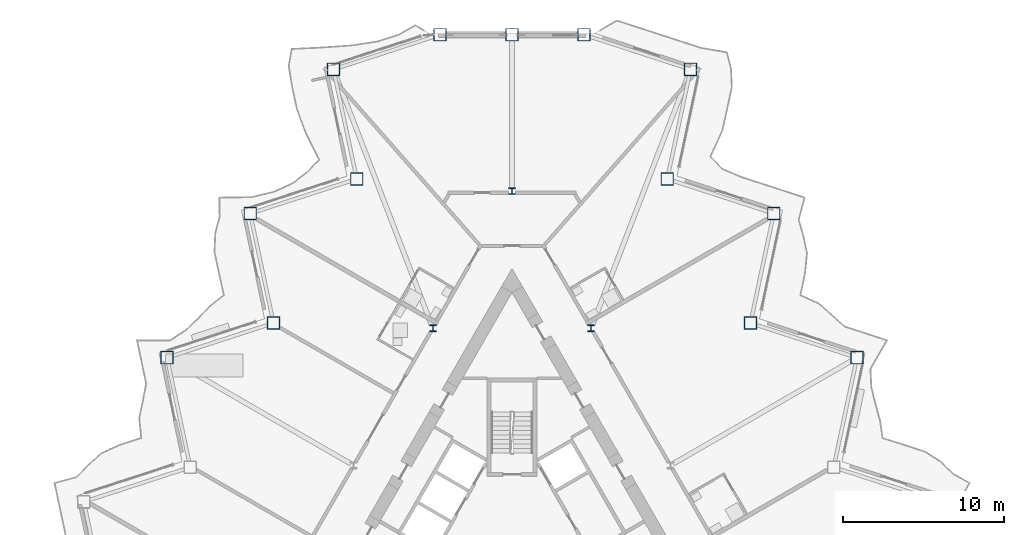
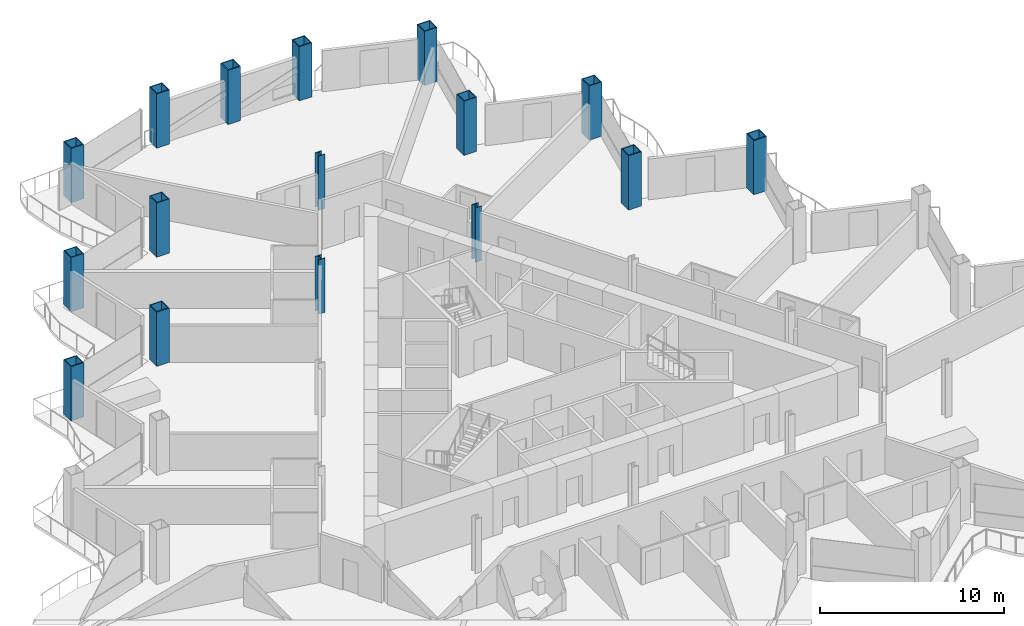
# One storey, part 2 of 23: 16 columns.
"""IFC4 building model written with IfcOpenShell, lengths in metres."""

from ifc_helpers import new_model, si_unit, direction, frame, origin, origin_2d, place, context, subcontext, project, spatial, hollow_rectangle, i_section, extrude, material, material_profile, profile_set, type_object, element, save


model = new_model("IFC4")

# Units and contexts
model_context = context("Model", 3, precision=1e-05, world=origin(), true_north=direction((0.0, 1.0)))
body_context = subcontext(model_context, "Body", "Model", "MODEL_VIEW")
ifc_project = project(units=[si_unit("LENGTHUNIT", "METRE"), si_unit("AREAUNIT", "SQUARE_METRE"), si_unit("VOLUMEUNIT", "CUBIC_METRE"), si_unit("PLANEANGLEUNIT", "RADIAN"), si_unit("MASSUNIT", "GRAM", prefix="KILO")], contexts=[model_context])

# Site, building, storey
site_placement = place(None, origin())
site = spatial("IfcSite", under=ifc_project, at=site_placement, CompositionType="ELEMENT")
building_placement = place(site_placement, origin())
building = spatial("IfcBuilding", under=site, at=building_placement, Name="Cormorant Prow Tower", CompositionType="ELEMENT")
storey_placement = place(building_placement, frame((0.0, 0.0, 172.800048828125)))
storey = spatial("IfcBuildingStorey", under=building, at=storey_placement, Name="L36", CompositionType="ELEMENT", Elevation=172.800048828125)

# Columns
ifc_material_1 = material(Name="Structural steel ASTM A572 Gr 50", Category="steel")
ifc_material_profile_1 = material_profile(ifc_material_1, hollow_rectangle(XDim=0.800048828125, YDim=0.800048828125, WallThickness=0.050048828125, at=origin_2d()), Name="Box 800x800x50")
ifc_profile_set_1 = profile_set([ifc_material_profile_1], Name="Structural steel ASTM A572 Gr 50")
column_type_1 = type_object("IfcColumnType", Name="Perimeter box column 800x800x50", PredefinedType="COLUMN", material=ifc_profile_set_1)
for number, where, z_axis, x_axis, name in (
    (1, (21.409423828125, 12.36083984375, 0.0), (0.0, 0.0, 1.0), (1.0, 0.0, 0.0), "Perimeter column C4 at ENE05 L36"),
    (2, (14.7998046875, 14.50830078125, 0.0), (0.0, 0.0, 1.0), (1.0, 0.0, 0.0), "Perimeter column C4 at ENE06 L36"),
    (3, (16.244873046875, 21.306396484375, 0.0), (0.0, 0.0, 1.0), (1.0, 0.0, 0.0), "Perimeter column C4 at ENE07 L36"),
    (4, (9.63525390625, 23.453857421875, 0.0), (0.0, 0.0, 1.0), (1.0, 0.0, 0.0), "Perimeter column C4 at ENE08 L36"),
    (5, (11.080078125, 30.251953125, 0.0), (0.0, 0.0, 1.0), (1.0, 0.0, 0.0), "Perimeter column C4 at ENE09 L36"),
    (6, (4.470458984375, 32.3994140625, 0.0), (0.0, 0.0, 1.0), (1.0, 0.0, 0.0), "Perimeter column C4 at N00 L36"),
    (7, (0.0, 32.3994140625, 0.0), (0.0, 0.0, 1.0), (1.0, 0.0, 0.0), "Perimeter column C4 at N01 L36"),
    (8, (-4.470458984375, 32.3994140625, 0.0), (0.0, 0.0, 1.0), (1.0, 0.0, 0.0), "Perimeter column C4 at WNW00 L36"),
    (9, (-11.080078125, 30.251953125, 0.0), (0.0, 0.0, 1.0), (1.0, 0.0, 0.0), "Perimeter column C4 at WNW01 L36"),
    (10, (-9.63525390625, 23.453857421875, 0.0), (0.0, 0.0, 1.0), (1.0, 0.0, 0.0), "Perimeter column C4 at WNW02 L36"),
    (11, (-16.244873046875, 21.306396484375, 0.0), (0.0, 0.0, 1.0), (1.0, 0.0, 0.0), "Perimeter column C4 at WNW03 L36"),
    (12, (-14.7998046875, 14.50830078125, 0.0), (0.0, 0.0, 1.0), (1.0, 0.0, 0.0), "Perimeter column C4 at WNW04 L36"),
    (13, (-21.409423828125, 12.36083984375, 0.0), (0.0, 0.0, 1.0), (1.0, 0.0, 0.0), "Perimeter column C4 at WNW05 L36"),
):
    element("IfcColumn", number, at=place(storey_placement, frame(where, z_axis=z_axis, x_axis=x_axis)), inside=storey, type_object=column_type_1, Name=name, PredefinedType="COLUMN", context=body_context, shape_type="SweptSolid", body=[
        extrude(hollow_rectangle(XDim=0.800048828125, YDim=0.800048828125, WallThickness=0.050048828125, at=origin_2d()), origin(), (0.0, 0.0, 1.0), 3.599853515625),
    ])
ifc_material_2 = material(Name="Structural steel ASTM A992 Gr 50", Category="steel")
ifc_material_profile_2 = material_profile(ifc_material_2, i_section(OverallWidth=0.403564453125, OverallDepth=0.407470703125, WebThickness=0.027099609375, FlangeThickness=0.043701171875, at=origin_2d()), Name="W14x233")
ifc_profile_set_2 = profile_set([ifc_material_profile_2], Name="Structural steel ASTM A992 Gr 50")
column_type_2 = type_object("IfcColumnType", Name="Ring column W14x233", PredefinedType="COLUMN", material=ifc_profile_set_2)
for number, where, z_axis, x_axis, name in (
    (14, (0.0, 22.69775390625, 0.0), (0.0, 0.0, 1.0), (1.0, 0.0, 0.0), "Ring column 1 L36"),
    (15, (-4.914306640625, 14.186279296875, 0.0), (0.0, 0.0, 1.0), (1.0, 0.0, 0.0), "Ring column 2 L36"),
    (16, (4.914306640625, 14.186279296875, 0.0), (0.0, 0.0, 1.0), (1.0, 0.0, 0.0), "Ring column 12 L36"),
):
    element("IfcColumn", number, at=place(storey_placement, frame(where, z_axis=z_axis, x_axis=x_axis)), inside=storey, type_object=column_type_2, Name=name, PredefinedType="COLUMN", context=body_context, shape_type="SweptSolid", body=[
        extrude(i_section(OverallWidth=0.403564453125, OverallDepth=0.407470703125, WebThickness=0.027099609375, FlangeThickness=0.043701171875, at=origin_2d()), origin(), (0.0, 0.0, 1.0), 3.599853515625),
    ])

save(model, "model.ifc")
